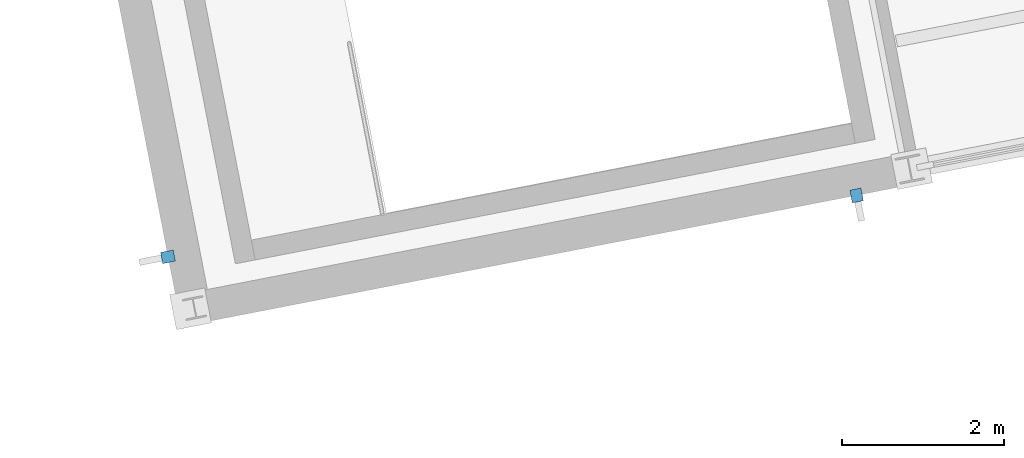
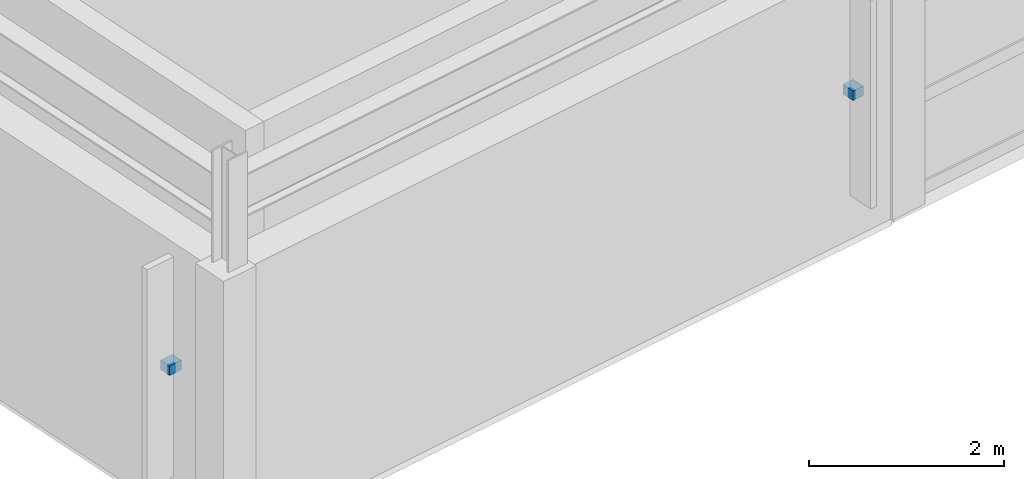
# One storey, part 93 of 102: 2 discrete accessories.
"""IFC4 building model written with IfcOpenShell, lengths in metres."""

from ifc_helpers import new_model, si_unit, direction, frame, origin, origin_2d, place, context, subcontext, project, spatial, rectangle, extrude, material, type_object, element, save


model = new_model("IFC4")

# Units and contexts
model_context = context("Model", 3, precision=1e-05, world=origin(), true_north=direction((0.0, 1.0)))
body_context = subcontext(model_context, "Body", "Model", "MODEL_VIEW")
ifc_project = project(units=[si_unit("LENGTHUNIT", "METRE"), si_unit("AREAUNIT", "SQUARE_METRE"), si_unit("VOLUMEUNIT", "CUBIC_METRE"), si_unit("PLANEANGLEUNIT", "RADIAN"), si_unit("MASSUNIT", "GRAM", prefix="KILO")], contexts=[model_context])

# Site, building, storey
site_placement = place(None, origin())
site = spatial("IfcSite", under=ifc_project, at=site_placement, CompositionType="ELEMENT")
building_placement = place(site_placement, origin())
building = spatial("IfcBuilding", under=site, at=building_placement, Name="Vireo Bluff Cable Station", CompositionType="ELEMENT")
storey_placement = place(building_placement, frame((0.0, 0.0, 9.60009765625)))
storey = spatial("IfcBuildingStorey", under=building, at=storey_placement, Name="L02", CompositionType="ELEMENT", Elevation=9.60009765625)

# Discrete accessories
ifc_material = material(Name="Stainless Steel 316", Category="steel")
discrete_accessory_type = type_object("IfcDiscreteAccessoryType", Name="FACADE-BRACKET-01", PredefinedType="BRACKET", material=ifc_material)
for number, where, z_axis, x_axis, name in (
    (1, (17.67822265625, 6.89111328125, 1.789794921875), (0.0, 0.0, 1.0), (-0.981627201611, -0.190808901935, 0.0), "V5 L02 solar fin bracket 36"),
    (2, (9.173095703125, 6.13330078125, 1.789794921875), (0.0, 0.0, 1.0), (-0.190809021589, 0.981627178352, 0.0), "V5 L02 solar fin bracket 37"),
):
    element("IfcDiscreteAccessory", number, at=place(storey_placement, frame(where, z_axis=z_axis, x_axis=x_axis)), inside=storey, type_object=discrete_accessory_type, Name=name, PredefinedType="BRACKET", context=body_context, shape_type="SweptSolid", body=[
        extrude(rectangle(XDim=0.139892578125, YDim=0.159912109375, at=origin_2d()), origin(), (0.0, 0.0, 1.0), 0.1201171875),
    ])

save(model, "model.ifc")
